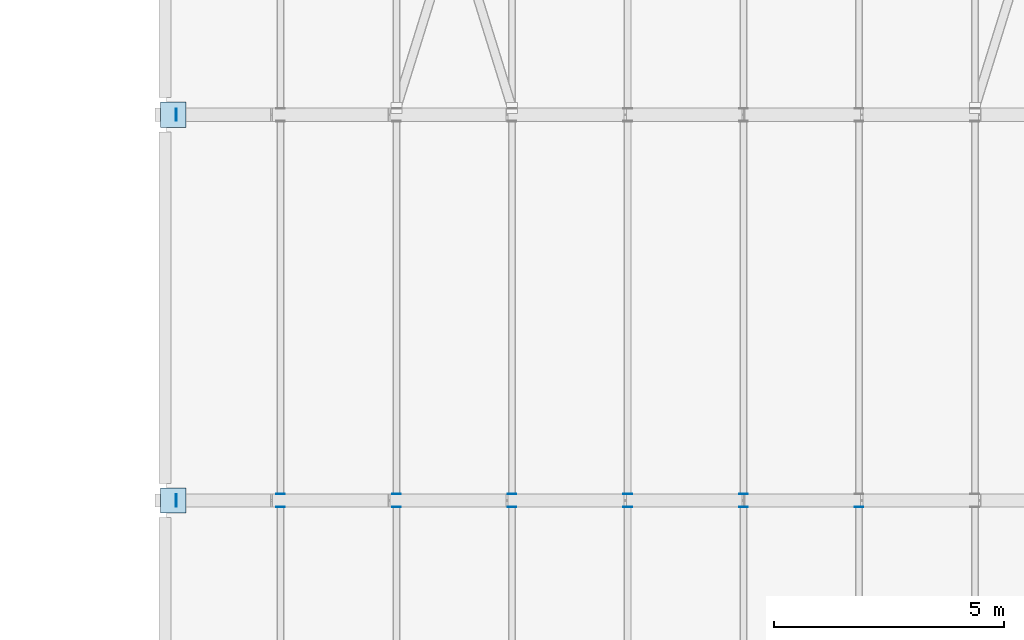
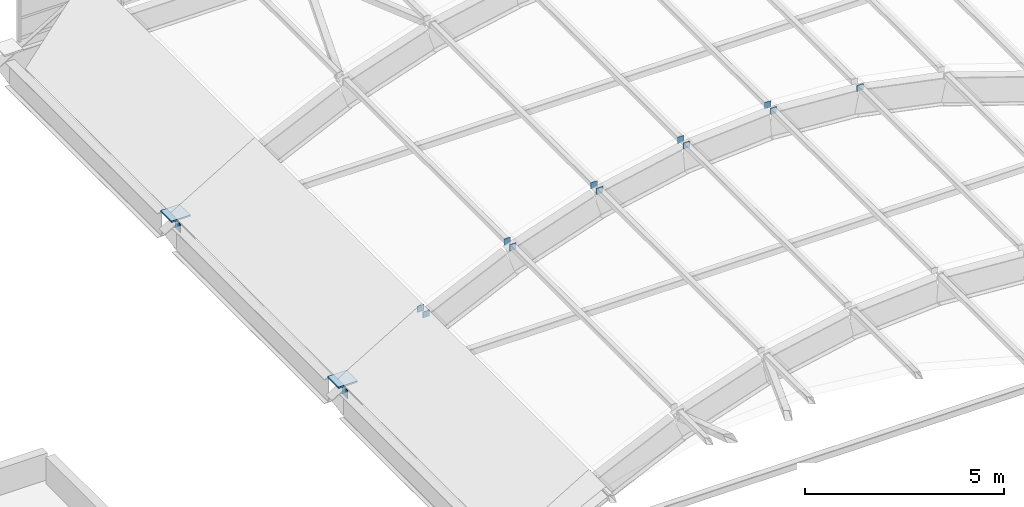
# One storey, part 85 of 107: 15 plates.
"""IFC4 building model written with IfcOpenShell, lengths in metres."""

from ifc_helpers import new_model, si_unit, direction, frame, origin, origin_2d, place, context, subcontext, project, spatial, rectangle, extrude, material, layer, layer_set, type_object, element, save


model = new_model("IFC4")

# Units and contexts
model_context = context("Model", 3, precision=1e-05, world=origin(), true_north=direction((0.0, 1.0)))
body_context = subcontext(model_context, "Body", "Model", "MODEL_VIEW")
ifc_project = project(units=[si_unit("LENGTHUNIT", "METRE"), si_unit("AREAUNIT", "SQUARE_METRE"), si_unit("VOLUMEUNIT", "CUBIC_METRE"), si_unit("PLANEANGLEUNIT", "RADIAN"), si_unit("MASSUNIT", "GRAM", prefix="KILO")], contexts=[model_context])

# Site, building, storey
site_placement = place(None, origin())
site = spatial("IfcSite", under=ifc_project, at=site_placement, CompositionType="ELEMENT")
building_placement = place(site_placement, origin())
building = spatial("IfcBuilding", under=site, at=building_placement, Name="Vireocrest Preparatory School", CompositionType="ELEMENT")
storey_placement = place(building_placement, frame((0.0, 0.0, 13.199951171875)))
storey = spatial("IfcBuildingStorey", under=building, at=storey_placement, Name="L03", CompositionType="ELEMENT", Elevation=13.199951171875)

# Plates
ifc_material = material(Name="Structural steel ASTM A572 Grade 50", Category="steel")
ifc_layer_1 = layer(ifc_material, 0.013916015625)
ifc_layer_set_1 = layer_set([ifc_layer_1], Name="Structural steel ASTM A572 Grade 50")
plate_type_1 = type_object("IfcPlateType", Name="Assembly Vault Purlin Steel End Cap Plate 14", PredefinedType="SHEET", material=ifc_layer_set_1)
for number, where, z_axis, x_axis, name in (
    (1, (145.320068359375, 35.259033203125, 1.0810546875), (0.0, 0.0, 1.0), (1.0, 0.0, 0.0), "Purlin End Cap CP3 VAULT_ASSEMBLY B2-N-2"),
    (2, (147.840087890625, 35.259033203125, 2.26171875), (0.0, 0.0, 1.0), (1.0, 0.0, 0.0), "Purlin End Cap CP3 VAULT_ASSEMBLY B2-N-3"),
    (3, (150.360107421875, 35.259033203125, 3.107666015625), (0.0, 0.0, 1.0), (1.0, 0.0, 0.0), "Purlin End Cap CP3 VAULT_ASSEMBLY B2-N-4"),
    (4, (152.8798828125, 35.259033203125, 3.619384765625), (0.0, 0.0, 1.0), (1.0, 0.0, 0.0), "Purlin End Cap CP3 VAULT_ASSEMBLY B2-N-5"),
    (5, (155.39990234375, 35.259033203125, 3.796875), (0.0, 0.0, 1.0), (1.0, 0.0, 0.0), "Purlin End Cap CP3 VAULT_ASSEMBLY B2-N-6"),
    (6, (157.919921875, 35.259033203125, 3.619384765625), (0.0, 0.0, 1.0), (1.0, 0.0, 0.0), "Purlin End Cap CP3 VAULT_ASSEMBLY B2-N-7"),
    (7, (145.320068359375, 35.541015625, 1.0810546875), (0.0, 0.0, 1.0), (1.0, 0.0, 0.0), "Purlin End Cap CP3 VAULT_ASSEMBLY B3-S-2"),
    (8, (147.840087890625, 35.541015625, 2.26171875), (0.0, 0.0, 1.0), (1.0, 0.0, 0.0), "Purlin End Cap CP3 VAULT_ASSEMBLY B3-S-3"),
    (9, (150.360107421875, 35.541015625, 3.107666015625), (0.0, 0.0, 1.0), (1.0, 0.0, 0.0), "Purlin End Cap CP3 VAULT_ASSEMBLY B3-S-4"),
    (10, (152.8798828125, 35.541015625, 3.619384765625), (0.0, 0.0, 1.0), (1.0, 0.0, 0.0), "Purlin End Cap CP3 VAULT_ASSEMBLY B3-S-5"),
    (11, (155.39990234375, 35.541015625, 3.796875), (0.0, 0.0, 1.0), (1.0, 0.0, 0.0), "Purlin End Cap CP3 VAULT_ASSEMBLY B3-S-6"),
):
    element("IfcPlate", number, at=place(storey_placement, frame(where, z_axis=z_axis, x_axis=x_axis)), inside=storey, type_object=plate_type_1, Name=name, PredefinedType="SHEET", context=body_context, shape_type="SweptSolid", body=[
        extrude(rectangle(XDim=0.18798828125, YDim=0.013916015625, at=origin_2d()), origin(), (0.0, 0.0, 1.0), 0.18798828125),
    ])
ifc_layer_2 = layer(ifc_material, 0.0458984375)
ifc_layer_set_2 = layer_set([ifc_layer_2], Name="Structural steel ASTM A572 Grade 50")
plate_type_2 = type_object("IfcPlateType", Name="Barrel-Vault Springing Gusset Shoe Plate 46", PredefinedType="SHEET", material=ifc_layer_set_2)
for number, where, z_axis, x_axis, name in (
    (12, (142.97998046875, 35.39990234375, -0.122802734375), (0.0, 0.0, 1.0), (1.0, 0.0, 0.0), "Node AS1 Vault Springing Shoe VAULT_ASSEMBLY-3W"),
    (13, (142.97998046875, 43.800048828125, -0.122802734375), (0.0, 0.0, 1.0), (1.0, 0.0, 0.0), "Node AS1 Vault Springing Shoe VAULT_ASSEMBLY-4W"),
):
    element("IfcPlate", number, at=place(storey_placement, frame(where, z_axis=z_axis, x_axis=x_axis)), inside=storey, type_object=plate_type_2, Name=name, PredefinedType="SHEET", context=body_context, shape_type="SweptSolid", body=[
        extrude(rectangle(XDim=0.550048828125, YDim=0.550048828125, at=origin_2d()), origin(), (0.0, 0.0, 1.0), 0.0458984375),
    ])
ifc_layer_3 = layer(ifc_material, 0.02001953125)
ifc_layer_set_3 = layer_set([ifc_layer_3], Name="Structural steel ASTM A572 Grade 50")
plate_type_3 = type_object("IfcPlateType", Name="Hollow Section Steel End Cap Plate 20", PredefinedType="SHEET", material=ifc_layer_set_3)
for number, where, z_axis, x_axis, name in (
    (14, (143.050048828125, 35.39990234375, -0.6455078125), (0.0, 0.0, 1.0), (1.0, 0.0, 0.0), "End Cap Plate CP1 VAULT_ASSEMBLY Tie 3W"),
    (15, (143.050048828125, 43.800048828125, -0.6455078125), (0.0, 0.0, 1.0), (1.0, 0.0, 0.0), "End Cap Plate CP1 VAULT_ASSEMBLY Tie 4W"),
):
    element("IfcPlate", number, at=place(storey_placement, frame(where, z_axis=z_axis, x_axis=x_axis)), inside=storey, type_object=plate_type_3, Name=name, PredefinedType="SHEET", context=body_context, shape_type="SweptSolid", body=[
        extrude(rectangle(XDim=0.02001953125, YDim=0.262939453125, at=origin_2d()), origin(), (0.0, 0.0, 1.0), 0.262939453125),
    ])

save(model, "model.ifc")
